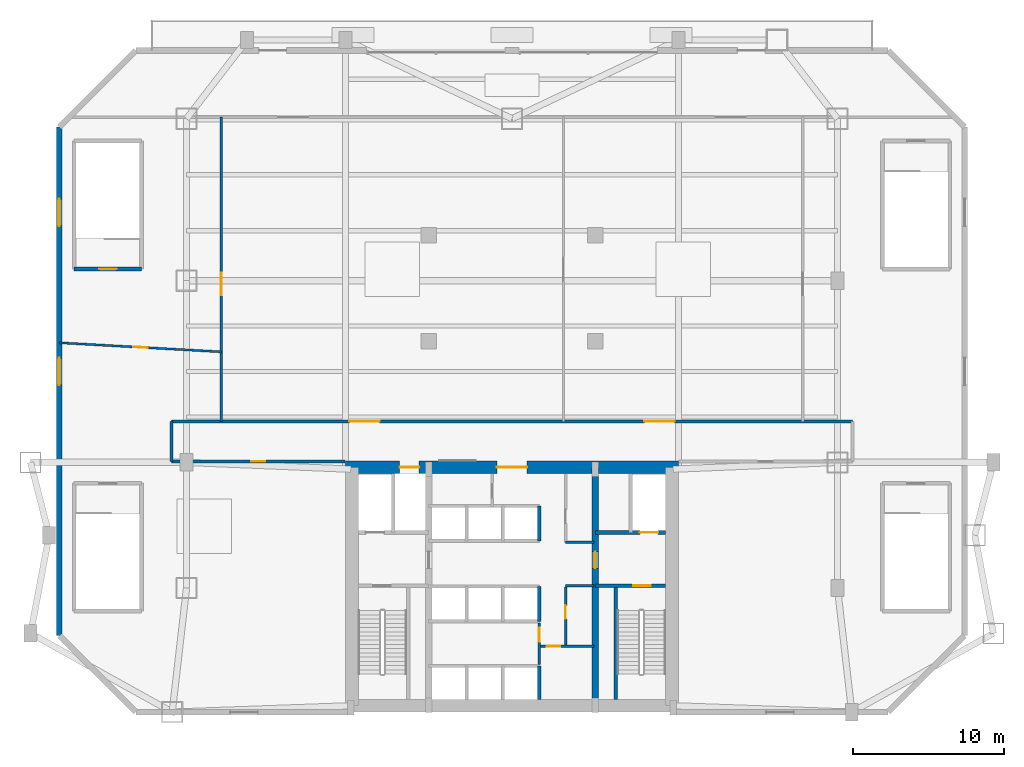
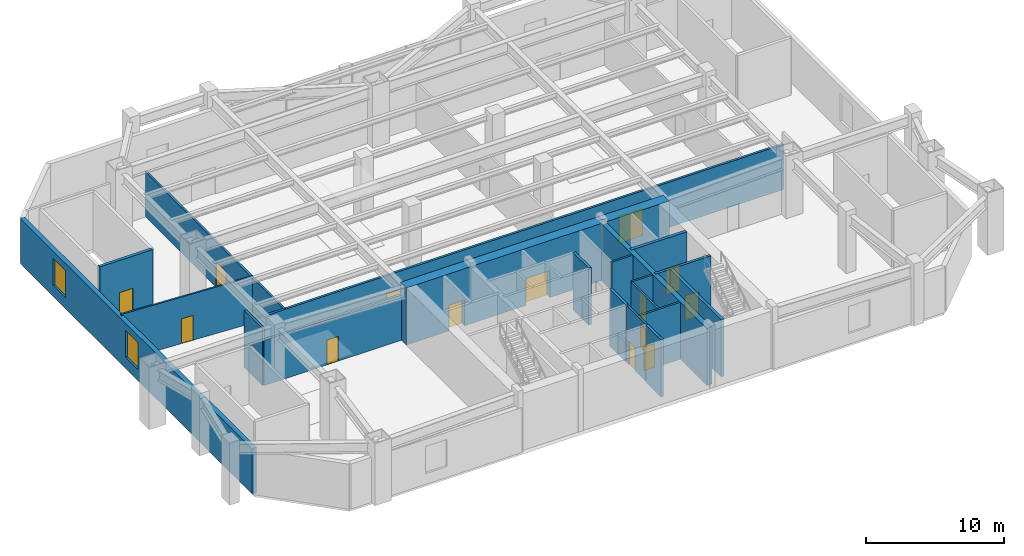
# One storey, part 4 of 8: 20 walls, 14 doors, 2 windows, 16 openings.
"""IFC4 building model written with IfcOpenShell, lengths in metres."""

from ifc_helpers import new_model, si_unit, direction, frame, frame_2d, origin, place, context, subcontext, project, spatial, rectangle, extrude, source, transform, mapped, material, layer, layer_set, type_object, type_shapes, element, fill, save


model = new_model("IFC4")

# Units and contexts
model_context = context("Model", 3, precision=1e-05, world=origin(), true_north=direction((0.0, 1.0)))
body_context = subcontext(model_context, "Body", "Model", "MODEL_VIEW")
ifc_project = project(units=[si_unit("LENGTHUNIT", "METRE"), si_unit("AREAUNIT", "SQUARE_METRE"), si_unit("VOLUMEUNIT", "CUBIC_METRE"), si_unit("PLANEANGLEUNIT", "RADIAN"), si_unit("MASSUNIT", "GRAM", prefix="KILO")], contexts=[model_context])

# Site, building, storey
site_placement = place(None, origin())
site = spatial("IfcSite", under=ifc_project, at=site_placement, CompositionType="ELEMENT")
building_placement = place(site_placement, origin())
building = spatial("IfcBuilding", under=site, at=building_placement, Name="Varnakhor Terracotta Tower", CompositionType="ELEMENT")
storey_placement = place(building_placement, frame((0.0, 0.0, 16.5)))
storey = spatial("IfcBuildingStorey", under=building, at=storey_placement, Name="L03", CompositionType="ELEMENT", Elevation=16.5)

# Wall, openings, doors
ifc_material_1 = material(Name="Concrete C60/75", Category="concrete")
ifc_layer_1 = layer(ifc_material_1, 0.85009765625, Name="Concrete C60/75")
ifc_layer_set_1 = layer_set([ifc_layer_1], Name="Concrete C60/75")
wall_type_1 = type_object("IfcWallType", Name="WAL-CORE-850", PredefinedType="SHEAR", material=ifc_layer_set_1)
wall_1_placement = place(storey_placement, frame((-11.0, 16.175048828125, 0.0), z_axis=(0.0, 0.0, 1.0), x_axis=(1.0, 0.0, 0.0)))
wall_1 = element("IfcWall", 1, at=wall_1_placement, inside=storey, type_object=wall_type_1, Name="L03 North Core Shear Wall", PredefinedType="SHEAR", context=body_context, shape_type="SweptSolid", body=[
    extrude(rectangle(XDim=22.0, YDim=0.85009765625, at=frame_2d((11.0, 0.0))), origin(), (0.0, 0.0, 1.0), 5.050048828125),
])
opening_1_placement = place(wall_1_placement, frame((3.570068359375, 0.0, 0.0)))
opening_1 = element("IfcOpeningElement", 2, at=opening_1_placement, cuts=wall_1, Name="Opening LD-03", PredefinedType="OPENING", context=body_context, shape_type="SweptSolid", body=[
    extrude(rectangle(XDim=1.300048828125, YDim=2.300048828125, at=frame_2d((0.64990234375, 1.14990234375))), frame((0.0, 0.43505859375, 0.0), z_axis=(0.0, -1.0, 0.0), x_axis=(1.0, 0.0, 0.0)), (0.0, 0.0, 1.0), 0.8701171875),
])
opening_2_placement = place(wall_1_placement, frame((10.0, 0.0, 0.0)))
opening_2 = element("IfcOpeningElement", 3, at=opening_2_placement, cuts=wall_1, Name="Opening DR-32", PredefinedType="OPENING", context=body_context, shape_type="SweptSolid", body=[
    extrude(rectangle(XDim=2.0, YDim=2.39990234375, at=frame_2d((1.0, 1.199951171875))), frame((0.0, 0.43505859375, 0.0), z_axis=(0.0, -1.0, 0.0), x_axis=(1.0, 0.0, 0.0)), (0.0, 0.0, 1.0), 0.8701171875),
])
ifc_material_2 = material(Name="Heavy-Duty Goods Sliding Lift Landing Door", Category="steel")
door_type_1 = type_object("IfcDoorType", Name="LD-SRV-1300X2300", OperationType="NOTDEFINED", PredefinedType="DOOR", material=ifc_material_2)
shared_shape_1 = source(origin(), body_context, "Body", "SweptSolid", [
    extrude(rectangle(XDim=1.300048828125, YDim=2.300048828125, at=frame_2d((0.64990234375, 1.14990234375))), frame((0.0, 0.02490234375, 0.0), z_axis=(0.0, -1.0, 0.0), x_axis=(1.0, 0.0, 0.0)), (0.0, 0.0, 1.0), 0.050048828125),
])
type_shapes(door_type_1, [shared_shape_1])
door_1_placement = place(opening_1_placement, origin())
door_1 = element("IfcDoor", 4, at=door_1_placement, inside=storey, type_object=door_type_1, Name="L03 Service Lift SVL-1 Landing Door", OperationType="SLIDING_TO_RIGHT", OverallHeight=2.300048828125, OverallWidth=1.300048828125, PredefinedType="DOOR", context=body_context, shape_type="MappedRepresentation", body=[
    mapped(shared_shape_1, transform((0.0, 0.0, 0.0), scale=1.0)),
])
fill(opening_1, door_1)
ifc_material_3 = material(Name="Acoustic Double Assembly Fire Door", Category="wood")
door_type_2 = type_object("IfcDoorType", Name="DR-HALL-2000X2400", OperationType="NOTDEFINED", PredefinedType="DOOR", material=ifc_material_3)
shared_shape_2 = source(origin(), body_context, "Body", "SweptSolid", [
    extrude(rectangle(XDim=2.0, YDim=2.39990234375, at=frame_2d((1.0, 1.199951171875))), frame((0.0, 0.02490234375, 0.0), z_axis=(0.0, -1.0, 0.0), x_axis=(1.0, 0.0, 0.0)), (0.0, 0.0, 1.0), 0.050048828125),
])
type_shapes(door_type_2, [shared_shape_2])
door_2_placement = place(opening_2_placement, origin())
door_2 = element("IfcDoor", 5, at=door_2_placement, inside=storey, type_object=door_type_2, Name="L03 Core Main Lobby Double Door", OperationType="DOUBLE_DOOR_SINGLE_SWING", OverallHeight=2.39990234375, OverallWidth=2.0, PredefinedType="DOOR", context=body_context, shape_type="MappedRepresentation", body=[
    mapped(shared_shape_2, transform((0.0, 0.0, 0.0), scale=1.0)),
])
fill(opening_2, door_2)

# Wall, opening, door
ifc_material_4 = material(Name="Concrete C50/60", Category="concrete")
ifc_layer_2 = layer(ifc_material_4, 0.39990234375, Name="Concrete C50/60")
ifc_layer_set_2 = layer_set([ifc_layer_2], Name="Concrete C50/60")
wall_type_2 = type_object("IfcWallType", Name="WAL-CORE-WEB-400", PredefinedType="SHEAR", material=ifc_layer_set_2)
wall_2_placement = place(storey_placement, frame((5.5, 0.425048828125, 0.0), z_axis=(0.0, 0.0, 1.0), x_axis=(0.0, 1.0, 0.0)))
wall_2 = element("IfcWall", 6, at=wall_2_placement, inside=storey, type_object=wall_type_2, Name="L03 East Core Web Shear Wall", PredefinedType="SHEAR", context=body_context, shape_type="SweptSolid", body=[
    extrude(rectangle(XDim=15.75, YDim=0.39990234375, at=frame_2d((7.875, 0.0))), origin(), (0.0, 0.0, 1.0), 5.050048828125),
])
opening_3_placement = place(wall_2_placement, frame((9.074951171875, 0.0, 0.0)))
opening_3 = element("IfcOpeningElement", 7, at=opening_3_placement, cuts=wall_2, Name="Opening DR-25", PredefinedType="OPENING", context=body_context, shape_type="SweptSolid", body=[
    extrude(rectangle(XDim=1.10009765625, YDim=2.199951171875, at=frame_2d((0.550048828125, 1.10009765625))), frame((0.0, 0.2099609375, 0.0), z_axis=(0.0, -1.0, 0.0), x_axis=(1.0, 0.0, 0.0)), (0.0, 0.0, 1.0), 0.419921875),
])
ifc_material_5 = material(Name="Firefighting Lobby Self-Closing Fire Door", Category="steel")
door_type_3 = type_object("IfcDoorType", Name="DR-FFL-1100X2200", OperationType="NOTDEFINED", PredefinedType="DOOR", material=ifc_material_5)
shared_shape_3 = source(origin(), body_context, "Body", "SweptSolid", [
    extrude(rectangle(XDim=1.10009765625, YDim=2.199951171875, at=frame_2d((0.550048828125, 1.10009765625))), frame((0.0, 0.02490234375, 0.0), z_axis=(0.0, -1.0, 0.0), x_axis=(1.0, 0.0, 0.0)), (0.0, 0.0, 1.0), 0.050048828125),
])
type_shapes(door_type_3, [shared_shape_3])
door_3_placement = place(opening_3_placement, origin())
door_3 = element("IfcDoor", 8, at=door_3_placement, inside=storey, type_object=door_type_3, Name="L03 East Firefighting Lobby Door", OperationType="SINGLE_SWING_LEFT", OverallHeight=2.199951171875, OverallWidth=1.10009765625, PredefinedType="DOOR", context=body_context, shape_type="MappedRepresentation", body=[
    mapped(shared_shape_3, transform((0.0, 0.0, 0.0), scale=1.0)),
])
fill(opening_3, door_3)

# Wall, openings, doors
ifc_material_6 = material(Name="Fire-Rated Gypsum Stud Partition", Category="gypsum")
ifc_layer_3 = layer(ifc_material_6, 0.18505859375, Name="Fire-Rated Gypsum Stud Partition")
ifc_layer_set_3 = layer_set([ifc_layer_3], Name="Fire-Rated Gypsum Stud Partition")
wall_type_3 = type_object("IfcWallType", Name="WAL-CORR-185", PredefinedType="PARTITIONING", material=ifc_layer_set_3)
wall_3_placement = place(storey_placement, frame((-22.5, 19.199951171875, 0.0), z_axis=(0.0, 0.0, 1.0), x_axis=(1.0, 0.0, 0.0)))
wall_3 = element("IfcWall", 9, at=wall_3_placement, inside=storey, type_object=wall_type_3, Name="L03 South Assembly Corridor Wall", PredefinedType="PARTITIONING", context=body_context, shape_type="SweptSolid", body=[
    extrude(rectangle(XDim=45.0, YDim=0.18505859375, at=frame_2d((22.5, 0.0))), origin(), (0.0, 0.0, 1.0), 4.001953125),
])
opening_4_placement = place(wall_3_placement, frame((11.74951171875, 0.0, 0.0)))
opening_4 = element("IfcOpeningElement", 10, at=opening_4_placement, cuts=wall_3, Name="Opening DR-32", PredefinedType="OPENING", context=body_context, shape_type="SweptSolid", body=[
    extrude(rectangle(XDim=2.0, YDim=2.39990234375, at=frame_2d((1.0, 1.199951171875))), frame((0.0, 0.1025390625, 0.0), z_axis=(0.0, -1.0, 0.0), x_axis=(1.0, 0.0, 0.0)), (0.0, 0.0, 1.0), 0.205078125),
])
opening_5_placement = place(wall_3_placement, frame((31.25048828125, 0.0, 0.0)))
opening_5 = element("IfcOpeningElement", 11, at=opening_5_placement, cuts=wall_3, Name="Opening DR-32", PredefinedType="OPENING", context=body_context, shape_type="SweptSolid", body=[
    extrude(rectangle(XDim=2.0, YDim=2.39990234375, at=frame_2d((1.0, 1.199951171875))), frame((0.0, 0.1025390625, 0.0), z_axis=(0.0, -1.0, 0.0), x_axis=(1.0, 0.0, 0.0)), (0.0, 0.0, 1.0), 0.205078125),
])
door_4_placement = place(opening_4_placement, origin())
door_4 = element("IfcDoor", 12, at=door_4_placement, inside=storey, type_object=door_type_2, Name="L03 Hall South Door W", OperationType="DOUBLE_DOOR_SINGLE_SWING", OverallHeight=2.39990234375, OverallWidth=2.0, PredefinedType="DOOR", context=body_context, shape_type="MappedRepresentation", body=[
    mapped(shared_shape_2, transform((0.0, 0.0, 0.0), scale=1.0)),
])
fill(opening_4, door_4)
door_5_placement = place(opening_5_placement, origin())
door_5 = element("IfcDoor", 13, at=door_5_placement, inside=storey, type_object=door_type_2, Name="L03 Hall South Door E", OperationType="DOUBLE_DOOR_SINGLE_SWING", OverallHeight=2.39990234375, OverallWidth=2.0, PredefinedType="DOOR", context=body_context, shape_type="MappedRepresentation", body=[
    mapped(shared_shape_2, transform((0.0, 0.0, 0.0), scale=1.0)),
])
fill(opening_5, door_5)

# Wall
wall_4_placement = place(storey_placement, frame((-22.5, 16.550048828125, 0.0), z_axis=(0.0, 0.0, 1.0), x_axis=(0.0, 1.0, 0.0)))
element("IfcWall", 14, at=wall_4_placement, inside=storey, type_object=wall_type_3, Name="L03 South Corridor West End Wall", PredefinedType="PARTITIONING", context=body_context, shape_type="SweptSolid", body=[
    extrude(rectangle(XDim=2.64990234375, YDim=0.18505859375, at=frame_2d((1.324951171875, 0.0))), origin(), (0.0, 0.0, 1.0), 5.0419921875),
])

# Wall, opening, door
wall_5_placement = place(storey_placement, frame((-22.5, 16.550048828125, 0.0), z_axis=(0.0, 0.0, 1.0), x_axis=(1.0, 0.0, 0.0)))
wall_5 = element("IfcWall", 15, at=wall_5_placement, inside=storey, type_object=wall_type_3, Name="L03 South West Suite Wall", PredefinedType="PARTITIONING", context=body_context, shape_type="SweptSolid", body=[
    extrude(rectangle(XDim=11.47998046875, YDim=0.18505859375, at=frame_2d((5.739990234375, 0.0))), origin(), (0.0, 0.0, 1.0), 4.001953125),
])
opening_6_placement = place(wall_5_placement, frame((5.264892578125, 0.0, 0.0)))
opening_6 = element("IfcOpeningElement", 16, at=opening_6_placement, cuts=wall_5, Name="Opening DR-94", PredefinedType="OPENING", context=body_context, shape_type="SweptSolid", body=[
    extrude(rectangle(XDim=0.949951171875, YDim=2.199951171875, at=frame_2d((0.47509765625, 1.10009765625))), frame((0.0, 0.1025390625, 0.0), z_axis=(0.0, -1.0, 0.0), x_axis=(1.0, 0.0, 0.0)), (0.0, 0.0, 1.0), 0.205078125),
])
ifc_material_7 = material(Name="Acoustic Glazed-Vision Timber Office Door", Category="wood")
door_type_4 = type_object("IfcDoorType", Name="DR-OFF-950X2200", OperationType="NOTDEFINED", PredefinedType="DOOR", material=ifc_material_7)
shared_shape_4 = source(origin(), body_context, "Body", "SweptSolid", [
    extrude(rectangle(XDim=0.949951171875, YDim=2.199951171875, at=frame_2d((0.47509765625, 1.10009765625))), frame((0.0, 0.02490234375, 0.0), z_axis=(0.0, -1.0, 0.0), x_axis=(1.0, 0.0, 0.0)), (0.0, 0.0, 1.0), 0.050048828125),
])
type_shapes(door_type_4, [shared_shape_4])
door_6_placement = place(opening_6_placement, origin())
door_6 = element("IfcDoor", 17, at=door_6_placement, inside=storey, type_object=door_type_4, Name="L03 SW Suite Door", OperationType="SINGLE_SWING_LEFT", OverallHeight=2.199951171875, OverallWidth=0.949951171875, PredefinedType="DOOR", context=body_context, shape_type="MappedRepresentation", body=[
    mapped(shared_shape_4, transform((0.0, 0.0, 0.0), scale=1.0)),
])
fill(opening_6, door_6)

# Wall, openings, windows
ifc_material_8 = material(Name="Honed Riyadh Limestone Assembly", Category="masonry")
ifc_layer_4 = layer(ifc_material_8, 0.3798828125, Name="Honed Riyadh Limestone Assembly")
ifc_layer_set_4 = layer_set([ifc_layer_4], Name="Honed Riyadh Limestone Assembly")
wall_type_4 = type_object("IfcWallType", Name="WAL-EXT-LIMESTONE-380", PredefinedType="SOLIDWALL", material=ifc_layer_set_4)
wall_6_placement = place(storey_placement, frame((-29.89990234375, 5.050048828125, 0.0), z_axis=(0.0, 0.0, 1.0), x_axis=(0.0, 1.0, 0.0)))
wall_6 = element("IfcWall", 18, at=wall_6_placement, inside=storey, type_object=wall_type_4, Name="L03 Podium Side Limestone Wall 1", PredefinedType="SOLIDWALL", context=body_context, shape_type="SweptSolid", body=[
    extrude(rectangle(XDim=33.599853515625, YDim=0.3798828125, at=frame_2d((16.7998046875, 0.0))), origin(), (0.0, 0.0, 1.0), 3.989990234375),
])
opening_7_placement = place(wall_6_placement, frame((16.550048828125, 0.0, 0.949951171875)))
opening_7 = element("IfcOpeningElement", 19, at=opening_7_placement, cuts=wall_6, Name="Opening WN-19", PredefinedType="OPENING", context=body_context, shape_type="SweptSolid", body=[
    extrude(rectangle(XDim=1.800048828125, YDim=2.39990234375, at=frame_2d((0.89990234375, 1.199951171875))), frame((0.0, 0.199951171875, 0.0), z_axis=(0.0, -1.0, 0.0), x_axis=(1.0, 0.0, 0.0)), (0.0, 0.0, 1.0), 0.39990234375),
])
opening_8_placement = place(wall_6_placement, frame((27.050048828125, 0.0, 0.949951171875)))
opening_8 = element("IfcOpeningElement", 20, at=opening_8_placement, cuts=wall_6, Name="Opening WN-19", PredefinedType="OPENING", context=body_context, shape_type="SweptSolid", body=[
    extrude(rectangle(XDim=1.800048828125, YDim=2.39990234375, at=frame_2d((0.89990234375, 1.199951171875))), frame((0.0, 0.199951171875, 0.0), z_axis=(0.0, -1.0, 0.0), x_axis=(1.0, 0.0, 0.0)), (0.0, 0.0, 1.0), 0.39990234375),
])
ifc_material_9 = material(Name="Solar-Control Low-E Insulated Glass Unit", Category="glass")
window_type = type_object("IfcWindowType", Name="WIN-POD-1800X2400", PartitioningType="SINGLE_PANEL", PredefinedType="WINDOW", material=ifc_material_9)
shared_shape_5 = source(origin(), body_context, "Body", "SweptSolid", [
    extrude(rectangle(XDim=1.800048828125, YDim=2.39990234375, at=frame_2d((0.89990234375, 1.199951171875))), frame((0.0, 0.030029296875, 0.0), z_axis=(0.0, -1.0, 0.0), x_axis=(1.0, 0.0, 0.0)), (0.0, 0.0, 1.0), 0.06005859375),
])
type_shapes(window_type, [shared_shape_5])
window_1_placement = place(opening_7_placement, origin())
window_1 = element("IfcWindow", 21, at=window_1_placement, inside=storey, type_object=window_type, Name="L03 Side Punched Window 1-2", OverallHeight=2.39990234375, OverallWidth=1.800048828125, PartitioningType="SINGLE_PANEL", PredefinedType="WINDOW", context=body_context, shape_type="MappedRepresentation", body=[
    mapped(shared_shape_5, transform((0.0, 0.0, 0.0), scale=1.0)),
])
fill(opening_7, window_1)
window_2_placement = place(opening_8_placement, origin())
window_2 = element("IfcWindow", 22, at=window_2_placement, inside=storey, type_object=window_type, Name="L03 Side Punched Window 1-3", OverallHeight=2.39990234375, OverallWidth=1.800048828125, PartitioningType="SINGLE_PANEL", PredefinedType="WINDOW", context=body_context, shape_type="MappedRepresentation", body=[
    mapped(shared_shape_5, transform((0.0, 0.0, 0.0), scale=1.0)),
])
fill(opening_8, window_2)

# Wall, opening, door
ifc_material_10 = material(Name="Concrete C40/50", Category="concrete")
ifc_layer_5 = layer(ifc_material_10, 0.219970703125, Name="Concrete C40/50")
ifc_layer_set_5 = layer_set([ifc_layer_5], Name="Concrete C40/50")
wall_type_5 = type_object("IfcWallType", Name="WAL-FFLOBBY-220", PredefinedType="SOLIDWALL", material=ifc_layer_set_5)
wall_7_placement = place(storey_placement, frame((10.14990234375, 8.35009765625, 0.0), z_axis=(0.0, 0.0, 1.0), x_axis=(-1.0, 0.0, 0.0)))
wall_7 = element("IfcWall", 23, at=wall_7_placement, inside=storey, type_object=wall_type_5, Name="L03 East Firefighting Lobby Stair Wall", PredefinedType="SOLIDWALL", context=body_context, shape_type="SweptSolid", body=[
    extrude(rectangle(XDim=4.64990234375, YDim=0.219970703125, at=frame_2d((2.324951171875, 0.0))), origin(), (0.0, 0.0, 1.0), 5.050048828125),
])
opening_9_placement = place(wall_7_placement, frame((1.0, 0.0, 0.0)))
opening_9 = element("IfcOpeningElement", 24, at=opening_9_placement, cuts=wall_7, Name="Opening DR-34", PredefinedType="OPENING", context=body_context, shape_type="SweptSolid", body=[
    extrude(rectangle(XDim=1.14990234375, YDim=2.199951171875, at=frame_2d((0.574951171875, 1.10009765625))), frame((0.0, 0.1201171875, 0.0), z_axis=(0.0, -1.0, 0.0), x_axis=(1.0, 0.0, 0.0)), (0.0, 0.0, 1.0), 0.239990234375),
])
ifc_material_11 = material(Name="Self-Closing Smoke-Sealed Steel Fire Door", Category="steel")
door_type_5 = type_object("IfcDoorType", Name="DR-STAIR-1150X2200", OperationType="NOTDEFINED", PredefinedType="DOOR", material=ifc_material_11)
shared_shape_6 = source(origin(), body_context, "Body", "SweptSolid", [
    extrude(rectangle(XDim=1.14990234375, YDim=2.199951171875, at=frame_2d((0.574951171875, 1.10009765625))), frame((0.0, 0.02490234375, 0.0), z_axis=(0.0, -1.0, 0.0), x_axis=(1.0, 0.0, 0.0)), (0.0, 0.0, 1.0), 0.050048828125),
])
type_shapes(door_type_5, [shared_shape_6])
door_7_placement = place(opening_9_placement, origin())
door_7 = element("IfcDoor", 25, at=door_7_placement, inside=storey, type_object=door_type_5, Name="L03 Exit Stair ST-2 Fire Door", OperationType="SINGLE_SWING_RIGHT", OverallHeight=2.199951171875, OverallWidth=1.14990234375, PredefinedType="DOOR", context=body_context, shape_type="MappedRepresentation", body=[
    mapped(shared_shape_6, transform((0.0, 0.0, 0.0), scale=1.0)),
])
fill(opening_9, door_7)

ifc_material_12 = material(Name="Acoustic Metal-Stud Partition", Category="gypsum")
ifc_layer_6 = layer(ifc_material_12, 0.139892578125, Name="Acoustic Metal-Stud Partition")
ifc_layer_set_6 = layer_set([ifc_layer_6], Name="Acoustic Metal-Stud Partition")
wall_type_6 = type_object("IfcWallType", Name="WAL-PART-140", PredefinedType="PARTITIONING", material=ifc_layer_set_6)
wall_8_placement = place(storey_placement, frame((-29.889892578125, 24.39990234375, 0.0), z_axis=(0.0, 0.0, 1.0), x_axis=(0.99842932753, -0.056025689895, 0.0)))
wall_8 = element("IfcWall", 26, at=wall_8_placement, inside=storey, type_object=wall_type_6, Name="L03 Banquet Kitchen Wall", PredefinedType="PARTITIONING", context=body_context, shape_type="SweptSolid", body=[
    extrude(rectangle(XDim=10.706787109375, YDim=0.139892578125, at=frame_2d((5.353515625, 0.0))), origin(), (0.0, 0.0, 1.0), 4.114990234375),
])
opening_10_placement = place(wall_8_placement, frame((4.87841796875, 0.0, 0.0)))
opening_10 = element("IfcOpeningElement", 27, at=opening_10_placement, cuts=wall_8, Name="Opening DR-94", PredefinedType="OPENING", context=body_context, shape_type="SweptSolid", body=[
    extrude(rectangle(XDim=0.949951171875, YDim=2.199951171875, at=frame_2d((0.47509765625, 1.10009765625))), frame((0.0, 0.080078125, 0.0), z_axis=(0.0, -1.0, 0.0), x_axis=(1.0, 0.0, 0.0)), (0.0, 0.0, 1.0), 0.159912109375),
])
door_8_placement = place(opening_10_placement, origin())
door_8 = element("IfcDoor", 28, at=door_8_placement, inside=storey, type_object=door_type_4, Name="Banquet Kitchen Door", OperationType="SINGLE_SWING_LEFT", OverallHeight=2.199951171875, OverallWidth=0.949951171875, PredefinedType="DOOR", context=body_context, shape_type="MappedRepresentation", body=[
    mapped(shared_shape_4, transform((0.0, 0.0, 0.0), scale=1.0)),
])
fill(opening_10, door_8)

# Walls
ifc_layer_7 = layer(ifc_material_10, 0.219970703125, Name="Concrete C40/50")
ifc_layer_set_7 = layer_set([ifc_layer_7], Name="Concrete C40/50")
wall_type_7 = type_object("IfcWallType", Name="WAL-SHAFT-220", PredefinedType="SOLIDWALL", material=ifc_layer_set_7)
wall_9_placement = place(storey_placement, frame((1.800048828125, 0.85009765625, 0.0), z_axis=(0.0, 0.0, 1.0), x_axis=(0.0, 1.0, 0.0)))
element("IfcWall", 29, at=wall_9_placement, inside=storey, type_object=wall_type_7, Name="L03 Bank 1 East Shaft Wall", PredefinedType="SOLIDWALL", context=body_context, shape_type="SweptSolid", body=[
    extrude(rectangle(XDim=2.199951171875, YDim=0.219970703125, at=frame_2d((1.10009765625, 0.0))), origin(), (0.0, 0.0, 1.0), 5.050048828125),
])
for number, where, z_axis, x_axis, name in (
    (30, (1.800048828125, 6.0, 0.0), (0.0, 0.0, 1.0), (0.0, 1.0, 0.0), "L03 Bank 2 East Shaft Wall"),
    (31, (1.800048828125, 11.320068359375, 0.0), (0.0, 0.0, 1.0), (0.0, 1.0, 0.0), "L03 Bank 3 East Shaft Wall"),
):
    element("IfcWall", number, at=place(storey_placement, frame(where, z_axis=z_axis, x_axis=x_axis)), inside=storey, type_object=wall_type_7, Name=name, PredefinedType="SOLIDWALL", context=body_context, shape_type="SweptSolid", body=[
        extrude(rectangle(XDim=2.300048828125, YDim=0.219970703125, at=frame_2d((1.14990234375, 0.0))), origin(), (0.0, 0.0, 1.0), 5.050048828125),
    ])
ifc_layer_8 = layer(ifc_material_10, 0.25, Name="Concrete C40/50")
ifc_layer_set_8 = layer_set([ifc_layer_8], Name="Concrete C40/50")
wall_type_8 = type_object("IfcWallType", Name="WAL-SHAFT-250", PredefinedType="SOLIDWALL", material=ifc_layer_set_8)
wall_10_placement = place(storey_placement, frame((6.85009765625, 0.85009765625, 0.0), z_axis=(0.0, 0.0, 1.0), x_axis=(0.0, 1.0, 0.0)))
element("IfcWall", 32, at=wall_10_placement, inside=storey, type_object=wall_type_8, Name="L03 Stair ST-2 Bearing Shaft Wall", PredefinedType="SOLIDWALL", context=body_context, shape_type="SweptSolid", body=[
    extrude(rectangle(XDim=7.5, YDim=0.25, at=frame_2d((3.75, 0.0))), origin(), (0.0, 0.0, 1.0), 5.050048828125),
])

# Wall, opening, door
wall_11_placement = place(storey_placement, frame((10.14990234375, 11.8701171875, 0.0), z_axis=(0.0, 0.0, 1.0), x_axis=(-1.0, 0.0, 0.0)))
wall_11 = element("IfcWall", 33, at=wall_11_placement, inside=storey, type_object=wall_type_8, Name="L03 Lift FFL-2 Shaft Front Wall", PredefinedType="SOLIDWALL", context=body_context, shape_type="SweptSolid", body=[
    extrude(rectangle(XDim=4.64990234375, YDim=0.25, at=frame_2d((2.324951171875, 0.0))), origin(), (0.0, 0.0, 1.0), 5.050048828125),
])
opening_11_placement = place(wall_11_placement, frame((0.5, 0.0, 0.0)))
opening_11 = element("IfcOpeningElement", 34, at=opening_11_placement, cuts=wall_11, Name="Opening LD-02", PredefinedType="OPENING", context=body_context, shape_type="SweptSolid", body=[
    extrude(rectangle(XDim=1.199951171875, YDim=2.25, at=frame_2d((0.60009765625, 1.125))), frame((0.0, 0.135009765625, 0.0), z_axis=(0.0, -1.0, 0.0), x_axis=(1.0, 0.0, 0.0)), (0.0, 0.0, 1.0), 0.27001953125),
])
ifc_material_13 = material(Name="Firefighting Stretcher Sliding Lift Landing Door", Category="steel")
door_type_6 = type_object("IfcDoorType", Name="LD-FFL-1200X2250", OperationType="NOTDEFINED", PredefinedType="DOOR", material=ifc_material_13)
shared_shape_7 = source(origin(), body_context, "Body", "SweptSolid", [
    extrude(rectangle(XDim=1.199951171875, YDim=2.25, at=frame_2d((0.60009765625, 1.125))), frame((0.0, 0.02490234375, 0.0), z_axis=(0.0, -1.0, 0.0), x_axis=(1.0, 0.0, 0.0)), (0.0, 0.0, 1.0), 0.050048828125),
])
type_shapes(door_type_6, [shared_shape_7])
door_9_placement = place(opening_11_placement, origin())
door_9 = element("IfcDoor", 35, at=door_9_placement, inside=storey, type_object=door_type_6, Name="L03 Firefighting Lift FFL-2 Landing Door", OperationType="SLIDING_TO_RIGHT", OverallHeight=2.25, OverallWidth=1.199951171875, PredefinedType="DOOR", context=body_context, shape_type="MappedRepresentation", body=[
    mapped(shared_shape_7, transform((0.0, 0.0, 0.0), scale=1.0)),
])
fill(opening_11, door_9)

wall_12_placement = place(storey_placement, frame((-28.919921875, 29.280029296875, 0.0), z_axis=(0.0, 0.0, 1.0), x_axis=(1.0, 0.0, 0.0)))
wall_12 = element("IfcWall", 36, at=wall_12_placement, inside=storey, type_object=wall_type_8, Name="L03 ST-P3 Bearing Shaft Wall S", PredefinedType="SOLIDWALL", context=body_context, shape_type="SweptSolid", body=[
    extrude(rectangle(XDim=4.43994140625, YDim=0.25, at=frame_2d((2.219970703125, 0.0))), origin(), (0.0, 0.0, 1.0), 5.050048828125),
])
opening_12_placement = place(wall_12_placement, frame((1.64501953125, 0.0, 0.0)))
opening_12 = element("IfcOpeningElement", 37, at=opening_12_placement, cuts=wall_12, Name="Opening DR-34", PredefinedType="OPENING", context=body_context, shape_type="SweptSolid", body=[
    extrude(rectangle(XDim=1.14990234375, YDim=2.199951171875, at=frame_2d((0.574951171875, 1.10009765625))), frame((0.0, 0.135009765625, 0.0), z_axis=(0.0, -1.0, 0.0), x_axis=(1.0, 0.0, 0.0)), (0.0, 0.0, 1.0), 0.27001953125),
])
door_10_placement = place(opening_12_placement, origin())
door_10 = element("IfcDoor", 38, at=door_10_placement, inside=storey, type_object=door_type_5, Name="L03 Exit Stair ST-P3 Fire Door", OperationType="SINGLE_SWING_LEFT", OverallHeight=2.199951171875, OverallWidth=1.14990234375, PredefinedType="DOOR", context=body_context, shape_type="MappedRepresentation", body=[
    mapped(shared_shape_6, transform((0.0, 0.0, 0.0), scale=1.0)),
])
fill(opening_12, door_10)

ifc_material_14 = material(Name="Acoustic Fire-Rated Partition", Category="gypsum")
ifc_layer_9 = layer(ifc_material_14, 0.1650390625, Name="Acoustic Fire-Rated Partition")
ifc_layer_set_9 = layer_set([ifc_layer_9], Name="Acoustic Fire-Rated Partition")
wall_type_9 = type_object("IfcWallType", Name="WAL-TENANCY-165", PredefinedType="PARTITIONING", material=ifc_layer_set_9)
wall_13_placement = place(storey_placement, frame((1.800048828125, 3.159912109375, 0.0), z_axis=(0.0, 0.0, 1.0), x_axis=(0.0, 1.0, 0.0)))
wall_13 = element("IfcWall", 39, at=wall_13_placement, inside=storey, type_object=wall_type_9, Name="L03 Core Rated Service Wall", PredefinedType="PARTITIONING", context=body_context, shape_type="SweptSolid", body=[
    extrude(rectangle(XDim=2.719970703125, YDim=0.1650390625, at=frame_2d((1.35986328125, 0.0))), origin(), (0.0, 0.0, 1.0), 5.0419921875),
])
opening_13_placement = place(wall_13_placement, frame((1.5, 0.0, 0.0)))
opening_13 = element("IfcOpeningElement", 40, at=opening_13_placement, cuts=wall_13, Name="Opening DR-67", PredefinedType="OPENING", context=body_context, shape_type="SweptSolid", body=[
    extrude(rectangle(XDim=0.89990234375, YDim=2.10009765625, at=frame_2d((0.449951171875, 1.050048828125))), frame((0.0, 0.092529296875, 0.0), z_axis=(0.0, -1.0, 0.0), x_axis=(1.0, 0.0, 0.0)), (0.0, 0.0, 1.0), 0.18505859375),
])
ifc_material_15 = material(Name="Steel Service Riser Fire Door", Category="steel")
door_type_7 = type_object("IfcDoorType", Name="DR-RISER-900X2100", OperationType="NOTDEFINED", PredefinedType="DOOR", material=ifc_material_15)
shared_shape_8 = source(origin(), body_context, "Body", "SweptSolid", [
    extrude(rectangle(XDim=0.89990234375, YDim=2.10009765625, at=frame_2d((0.449951171875, 1.050048828125))), frame((0.0, 0.02490234375, 0.0), z_axis=(0.0, -1.0, 0.0), x_axis=(1.0, 0.0, 0.0)), (0.0, 0.0, 1.0), 0.050048828125),
])
type_shapes(door_type_7, [shared_shape_8])
door_11_placement = place(opening_13_placement, origin())
door_11 = element("IfcDoor", 41, at=door_11_placement, inside=storey, type_object=door_type_7, Name="L03 Core Store Fire Door", OperationType="SINGLE_SWING_RIGHT", OverallHeight=2.10009765625, OverallWidth=0.89990234375, PredefinedType="DOOR", context=body_context, shape_type="MappedRepresentation", body=[
    mapped(shared_shape_8, transform((0.0, 0.0, 0.0), scale=1.0)),
])
fill(opening_13, door_11)

wall_14_placement = place(storey_placement, frame((3.5400390625, 4.4326171875, 0.0), z_axis=(0.0, 0.0, 1.0), x_axis=(0.0, 1.0, 0.0)))
wall_14 = element("IfcWall", 42, at=wall_14_placement, inside=storey, type_object=wall_type_9, Name="L03 Core Service Rated Wall", PredefinedType="PARTITIONING", context=body_context, shape_type="SweptSolid", body=[
    extrude(rectangle(XDim=3.824951171875, YDim=0.1650390625, at=frame_2d((1.91259765625, 0.0))), origin(), (0.0, 0.0, 1.0), 5.0419921875),
])
opening_14_placement = place(wall_14_placement, frame((1.72119140625, 0.0, 0.0)))
opening_14 = element("IfcOpeningElement", 43, at=opening_14_placement, cuts=wall_14, Name="Opening DR-67", PredefinedType="OPENING", context=body_context, shape_type="SweptSolid", body=[
    extrude(rectangle(XDim=0.89990234375, YDim=2.10009765625, at=frame_2d((0.449951171875, 1.050048828125))), frame((0.0, 0.092529296875, 0.0), z_axis=(0.0, -1.0, 0.0), x_axis=(1.0, 0.0, 0.0)), (0.0, 0.0, 1.0), 0.18505859375),
])
door_12_placement = place(opening_14_placement, origin())
door_12 = element("IfcDoor", 44, at=door_12_placement, inside=storey, type_object=door_type_7, Name="L03 Core Accessible WC Door", OperationType="SINGLE_SWING_RIGHT", OverallHeight=2.10009765625, OverallWidth=0.89990234375, PredefinedType="DOOR", context=body_context, shape_type="MappedRepresentation", body=[
    mapped(shared_shape_8, transform((0.0, 0.0, 0.0), scale=1.0)),
])
fill(opening_14, door_12)

# Wall
wall_15_placement = place(storey_placement, frame((3.5400390625, 8.340087890625, 0.0), z_axis=(0.0, 0.0, 1.0), x_axis=(1.0, 0.0, 0.0)))
element("IfcWall", 45, at=wall_15_placement, inside=storey, type_object=wall_type_9, Name="L03 Accessible WC North Wall", PredefinedType="PARTITIONING", context=body_context, shape_type="SweptSolid", body=[
    extrude(rectangle(XDim=1.8798828125, YDim=0.1650390625, at=frame_2d((0.93994140625, 0.0))), origin(), (0.0, 0.0, 1.0), 5.0419921875),
])

# Wall, opening, door
wall_16_placement = place(storey_placement, frame((1.800048828125, 4.35009765625, 0.0), z_axis=(0.0, 0.0, 1.0), x_axis=(1.0, 0.0, 0.0)))
wall_16 = element("IfcWall", 46, at=wall_16_placement, inside=storey, type_object=wall_type_9, Name="L03 Core South Service Rated Wall", PredefinedType="PARTITIONING", context=body_context, shape_type="SweptSolid", body=[
    extrude(rectangle(XDim=3.619873046875, YDim=0.1650390625, at=frame_2d((1.81005859375, 0.0))), origin(), (0.0, 0.0, 1.0), 5.0419921875),
])
opening_15_placement = place(wall_16_placement, frame((0.47998046875, 0.0, 0.0)))
opening_15 = element("IfcOpeningElement", 47, at=opening_15_placement, cuts=wall_16, Name="Opening DR-67", PredefinedType="OPENING", context=body_context, shape_type="SweptSolid", body=[
    extrude(rectangle(XDim=0.89990234375, YDim=2.10009765625, at=frame_2d((0.449951171875, 1.050048828125))), frame((0.0, 0.092529296875, 0.0), z_axis=(0.0, -1.0, 0.0), x_axis=(1.0, 0.0, 0.0)), (0.0, 0.0, 1.0), 0.18505859375),
])
door_13_placement = place(opening_15_placement, origin())
door_13 = element("IfcDoor", 48, at=door_13_placement, inside=storey, type_object=door_type_7, Name="L03 Core IT Room Door", OperationType="SINGLE_SWING_LEFT", OverallHeight=2.10009765625, OverallWidth=0.89990234375, PredefinedType="DOOR", context=body_context, shape_type="MappedRepresentation", body=[
    mapped(shared_shape_8, transform((0.0, 0.0, 0.0), scale=1.0)),
])
fill(opening_15, door_13)

# Wall
wall_17_placement = place(storey_placement, frame((3.5400390625, 11.219970703125, 0.0), z_axis=(0.0, 0.0, 1.0), x_axis=(1.0, 0.0, 0.0)))
element("IfcWall", 49, at=wall_17_placement, inside=storey, type_object=wall_type_9, Name="L03 Restroom South Wall", PredefinedType="PARTITIONING", context=body_context, shape_type="SweptSolid", body=[
    extrude(rectangle(XDim=1.8798828125, YDim=0.1650390625, at=frame_2d((0.93994140625, 0.0))), origin(), (0.0, 0.0, 1.0), 5.0419921875),
])

# Wall, opening, door
wall_18_placement = place(storey_placement, frame((-19.199951171875, 19.199951171875, 0.0), z_axis=(0.0, 0.0, 1.0), x_axis=(0.0, 1.0, 0.0)))
wall_18 = element("IfcWall", 50, at=wall_18_placement, inside=storey, type_object=wall_type_9, Name="L03 Hall West Acoustic Wall", PredefinedType="PARTITIONING", context=body_context, shape_type="SweptSolid", body=[
    extrude(rectangle(XDim=20.10009765625, YDim=0.1650390625, at=frame_2d((10.050048828125, 0.0))), origin(), (0.0, 0.0, 1.0), 4.001953125),
])
opening_16_placement = place(wall_18_placement, frame((8.3291015625, 0.0, 0.0)))
opening_16 = element("IfcOpeningElement", 51, at=opening_16_placement, cuts=wall_18, Name="Opening DR-30", PredefinedType="OPENING", context=body_context, shape_type="SweptSolid", body=[
    extrude(rectangle(XDim=1.5, YDim=2.25, at=frame_2d((0.75, 1.125))), frame((0.0, 0.092529296875, 0.0), z_axis=(0.0, -1.0, 0.0), x_axis=(1.0, 0.0, 0.0)), (0.0, 0.0, 1.0), 0.18505859375),
])
ifc_material_16 = material(Name="Double Acoustic Conference Room Door", Category="wood")
door_type_8 = type_object("IfcDoorType", Name="DR-MEET-1500X2250", OperationType="NOTDEFINED", PredefinedType="DOOR", material=ifc_material_16)
shared_shape_9 = source(origin(), body_context, "Body", "SweptSolid", [
    extrude(rectangle(XDim=1.5, YDim=2.25, at=frame_2d((0.75, 1.125))), frame((0.0, 0.02490234375, 0.0), z_axis=(0.0, -1.0, 0.0), x_axis=(1.0, 0.0, 0.0)), (0.0, 0.0, 1.0), 0.050048828125),
])
type_shapes(door_type_8, [shared_shape_9])
door_14_placement = place(opening_16_placement, origin())
door_14 = element("IfcDoor", 52, at=door_14_placement, inside=storey, type_object=door_type_8, Name="L03 West Suite Door", OperationType="DOUBLE_DOOR_SINGLE_SWING", OverallHeight=2.25, OverallWidth=1.5, PredefinedType="DOOR", context=body_context, shape_type="MappedRepresentation", body=[
    mapped(shared_shape_9, transform((0.0, 0.0, 0.0), scale=1.0)),
])
fill(opening_16, door_14)

save(model, "model.ifc")
